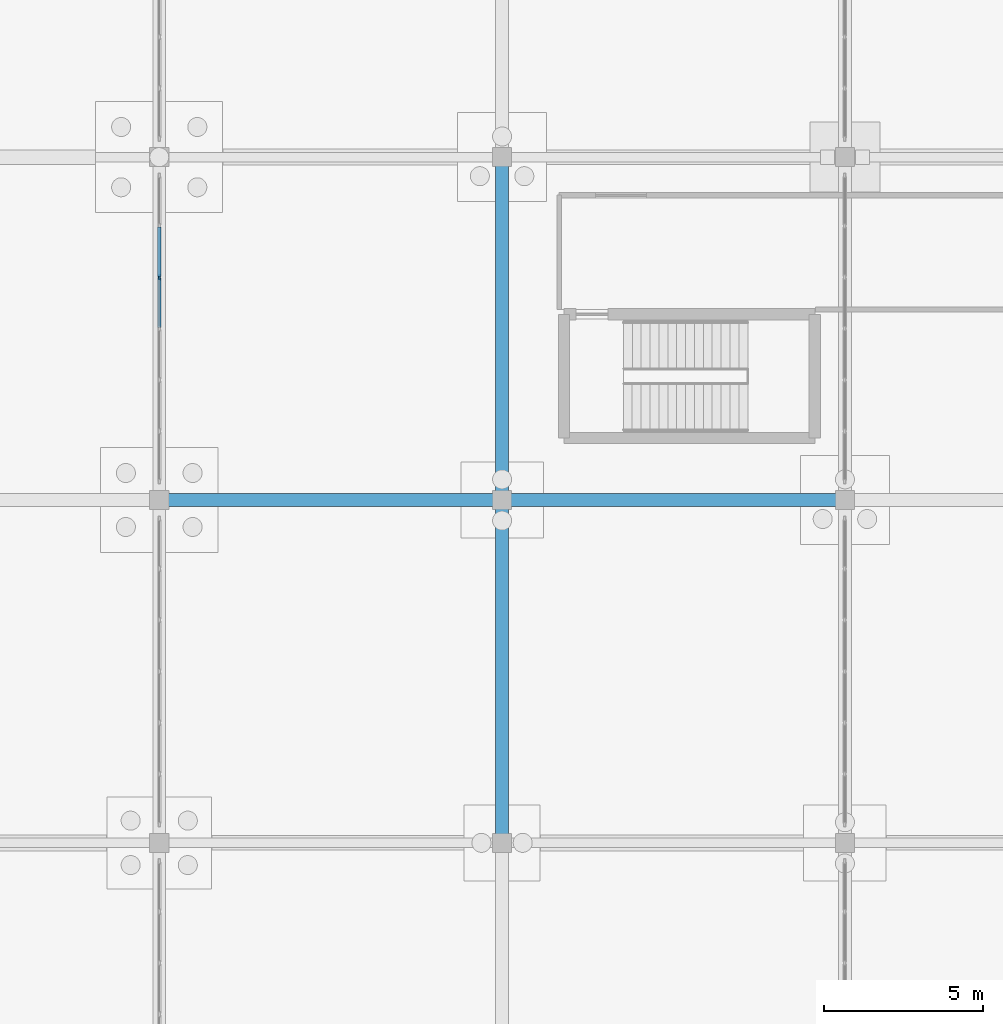
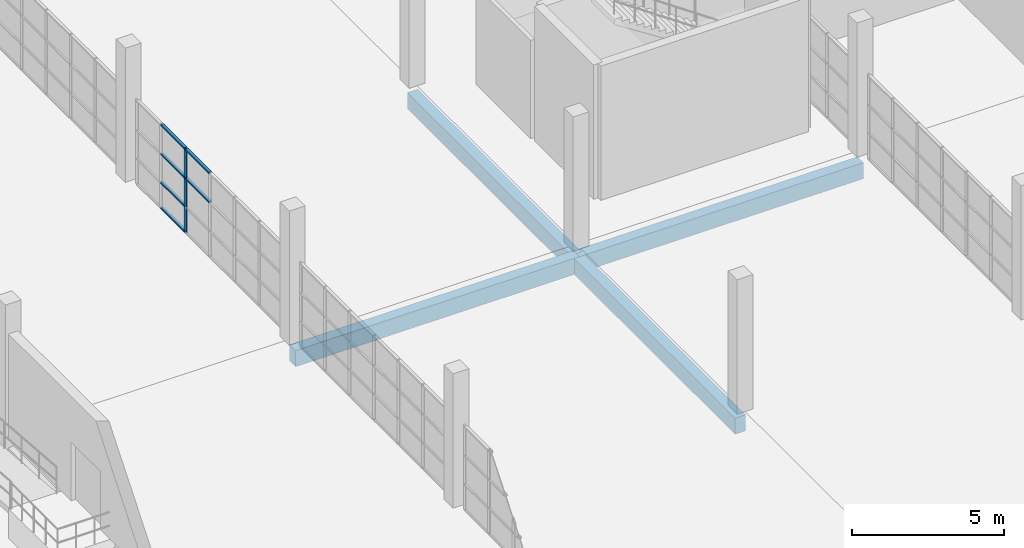
# One storey, part 25 of 138: 7 members, 4 beams, 1 element without a shape of its own.
"""IFC4 building model written with IfcOpenShell, lengths in metres."""

from ifc_helpers import new_model, si_unit, direction, frame, origin, origin_2d, place, context, subcontext, project, spatial, rectangle, extrude, material, material_profile, profile_set, type_object, element, aggregate, save


model = new_model("IFC4")

# Units and contexts
model_context = context("Model", 3, precision=1e-05, world=origin(), true_north=direction((0.0, 1.0)))
body_context = subcontext(model_context, "Body", "Model", "MODEL_VIEW")
ifc_project = project(units=[si_unit("LENGTHUNIT", "METRE"), si_unit("AREAUNIT", "SQUARE_METRE"), si_unit("VOLUMEUNIT", "CUBIC_METRE"), si_unit("PLANEANGLEUNIT", "RADIAN"), si_unit("MASSUNIT", "GRAM", prefix="KILO")], contexts=[model_context])

# Site, building, storey
site_placement = place(None, origin())
site = spatial("IfcSite", under=ifc_project, at=site_placement, CompositionType="ELEMENT")
building_placement = place(site_placement, origin())
building = spatial("IfcBuilding", under=site, at=building_placement, Name="Zwinboog Wholesale Market", CompositionType="ELEMENT")
storey_placement = place(building_placement, origin())
storey = spatial("IfcBuildingStorey", under=building, at=storey_placement, Name="L00", CompositionType="ELEMENT", Elevation=0.0)

# Beams
ifc_material_1 = material(Name="Precast concrete C45/55", Category="concrete")
ifc_material_profile_1 = material_profile(ifc_material_1, rectangle(XDim=0.39990234375, YDim=0.64990234375, at=origin_2d()), Name="PC 400x650")
ifc_profile_set_1 = profile_set([ifc_material_profile_1], Name="Precast concrete C45/55")
beam_type = type_object("IfcBeamType", Name="BT-05", PredefinedType="BEAM", material=ifc_profile_set_1)
beam_1_placement = place(storey_placement, frame((10.800048828125, 54.0, -0.705078125), z_axis=(1.0, 0.0, 0.0), x_axis=(0.0, 1.0, 0.0)))
element("IfcBeam", 1, at=beam_1_placement, inside=storey, type_object=beam_type, Name="BG-05 (BMG-L00-0108-0540-0070)", PredefinedType="BEAM", context=body_context, shape_type="SweptSolid", body=[
    extrude(rectangle(XDim=0.39990234375, YDim=0.64990234375, at=origin_2d()), origin(), (0.0, 0.0, 1.0), 10.800048828125),
])
beam_2_placement = place(storey_placement, frame((21.60009765625, 54.0, -0.705078125), z_axis=(1.0, 0.0, 0.0), x_axis=(0.0, 1.0, 0.0)))
element("IfcBeam", 2, at=beam_2_placement, inside=storey, type_object=beam_type, Name="BG-05 (BMG-L00-0216-0540-0071)", PredefinedType="BEAM", context=body_context, shape_type="SweptSolid", body=[
    extrude(rectangle(XDim=0.39990234375, YDim=0.64990234375, at=origin_2d()), origin(), (0.0, 0.0, 1.0), 10.7998046875),
])
for number, where, z_axis, x_axis, name in (
    (3, (21.60009765625, 43.199951171875, -0.705078125), (0.0, 1.0, 0.0), (-1.0, 0.0, 0.0), "BG-05 (BMG-L00-0216-0432-0239)"),
    (4, (21.60009765625, 54.0, -0.705078125), (0.0, 1.0, 0.0), (-1.0, 0.0, 0.0), "BG-05 (BMG-L00-0216-0540-0240)"),
):
    element("IfcBeam", number, at=place(storey_placement, frame(where, z_axis=z_axis, x_axis=x_axis)), inside=storey, type_object=beam_type, Name=name, PredefinedType="BEAM", context=body_context, shape_type="SweptSolid", body=[
        extrude(rectangle(XDim=0.39990234375, YDim=0.64990234375, at=origin_2d()), origin(), (0.0, 0.0, 1.0), 10.800048828125),
    ])

# Curtain wall, members
ifc_material_2 = material(Name="Aluminium thermally broken curtain wall", Category="aluminium")
curtain_wall_type = type_object("IfcCurtainWallType", Name="CWT-INT-STALL", PredefinedType="USERDEFINED", material=ifc_material_2)
curtain_wall_placement = place(storey_placement, origin())
curtain_wall = element("IfcCurtainWall", 5, at=curtain_wall_placement, inside=storey, type_object=curtain_wall_type, Name="CW-07 (CW-STL-214)", ObjectType="STOREFRONT_GLAZING", PredefinedType="USERDEFINED")
ifc_material_3 = material(Name="Aluminium EN AW-6060", Category="aluminium")
ifc_material_profile_2 = material_profile(ifc_material_3, rectangle(XDim=0.06005859375, YDim=0.14990234375, at=origin_2d()), Name="AL 60x150")
ifc_profile_set_2 = profile_set([ifc_material_profile_2], Name="Aluminium EN AW-6060")
member_type_1 = type_object("IfcMemberType", Name="CWM-INT-60x120", PredefinedType="MULLION", material=ifc_profile_set_2)
member_1_placement = place(storey_placement, frame((10.800048828125, 61.0166015625, 0.0), z_axis=(0.0, 0.0, 1.0), x_axis=(-1.0, 0.0, 0.0)))
member_1 = element("IfcMember", 6, at=member_1_placement, type_object=member_type_1, Name="CW-07 mullion 5", PredefinedType="MULLION", context=body_context, shape_type="SweptSolid", body=[
    extrude(rectangle(XDim=0.06005859375, YDim=0.14990234375, at=origin_2d()), origin(), (0.0, 0.0, 1.0), 3.39990234375),
])
ifc_material_profile_3 = material_profile(ifc_material_3, rectangle(XDim=0.110107421875, YDim=0.06005859375, at=origin_2d()), Name="AL 60x110")
ifc_profile_set_3 = profile_set([ifc_material_profile_3], Name="Aluminium EN AW-6060")
member_type_2 = type_object("IfcMemberType", Name="CWT-INT-60x100", PredefinedType="USERDEFINED", material=ifc_profile_set_3)
member_2_placement = place(storey_placement, frame((10.800048828125, 59.429931640625, 2.199951171875), z_axis=(0.0, 1.0, 0.0), x_axis=(-1.0, 0.0, 0.0)))
member_2 = element("IfcMember", 7, at=member_2_placement, type_object=member_type_2, Name="CW-07 transom 4.3", ObjectType="TRANSOM", PredefinedType="USERDEFINED", context=body_context, shape_type="SweptSolid", body=[
    extrude(rectangle(XDim=0.110107421875, YDim=0.06005859375, at=origin_2d()), origin(), (0.0, 0.0, 1.0), 1.556640625),
])
member_3_placement = place(storey_placement, frame((10.800048828125, 59.429931640625, 3.3701171875), z_axis=(0.0, 1.0, 0.0), x_axis=(-1.0, 0.0, 0.0)))
member_3 = element("IfcMember", 8, at=member_3_placement, type_object=member_type_2, Name="CW-07 transom 4.4", ObjectType="TRANSOM", PredefinedType="USERDEFINED", context=body_context, shape_type="SweptSolid", body=[
    extrude(rectangle(XDim=0.110107421875, YDim=0.06005859375, at=origin_2d()), origin(), (0.0, 0.0, 1.0), 1.556640625),
])
member_4_placement = place(storey_placement, frame((10.800048828125, 61.046630859375, 0.030029296875), z_axis=(0.0, 1.0, 0.0), x_axis=(-1.0, 0.0, 0.0)))
member_4 = element("IfcMember", 9, at=member_4_placement, type_object=member_type_2, Name="CW-07 transom 5.1", ObjectType="TRANSOM", PredefinedType="USERDEFINED", context=body_context, shape_type="SweptSolid", body=[
    extrude(rectangle(XDim=0.110107421875, YDim=0.06005859375, at=origin_2d()), origin(), (0.0, 0.0, 1.0), 1.556640625),
])
member_5_placement = place(storey_placement, frame((10.800048828125, 61.046630859375, 1.050048828125), z_axis=(0.0, 1.0, 0.0), x_axis=(-1.0, 0.0, 0.0)))
member_5 = element("IfcMember", 10, at=member_5_placement, type_object=member_type_2, Name="CW-07 transom 5.2", ObjectType="TRANSOM", PredefinedType="USERDEFINED", context=body_context, shape_type="SweptSolid", body=[
    extrude(rectangle(XDim=0.110107421875, YDim=0.06005859375, at=origin_2d()), origin(), (0.0, 0.0, 1.0), 1.556640625),
])
member_6_placement = place(storey_placement, frame((10.800048828125, 61.046630859375, 2.199951171875), z_axis=(0.0, 1.0, 0.0), x_axis=(-1.0, 0.0, 0.0)))
member_6 = element("IfcMember", 11, at=member_6_placement, type_object=member_type_2, Name="CW-07 transom 5.3", ObjectType="TRANSOM", PredefinedType="USERDEFINED", context=body_context, shape_type="SweptSolid", body=[
    extrude(rectangle(XDim=0.110107421875, YDim=0.06005859375, at=origin_2d()), origin(), (0.0, 0.0, 1.0), 1.556640625),
])
member_7_placement = place(storey_placement, frame((10.800048828125, 61.046630859375, 3.3701171875), z_axis=(0.0, 1.0, 0.0), x_axis=(-1.0, 0.0, 0.0)))
member_7 = element("IfcMember", 12, at=member_7_placement, type_object=member_type_2, Name="CW-07 transom 5.4", ObjectType="TRANSOM", PredefinedType="USERDEFINED", context=body_context, shape_type="SweptSolid", body=[
    extrude(rectangle(XDim=0.110107421875, YDim=0.06005859375, at=origin_2d()), origin(), (0.0, 0.0, 1.0), 1.556640625),
])
aggregate(curtain_wall, [member_1, member_2, member_3, member_4, member_5, member_6, member_7])

save(model, "model.ifc")
